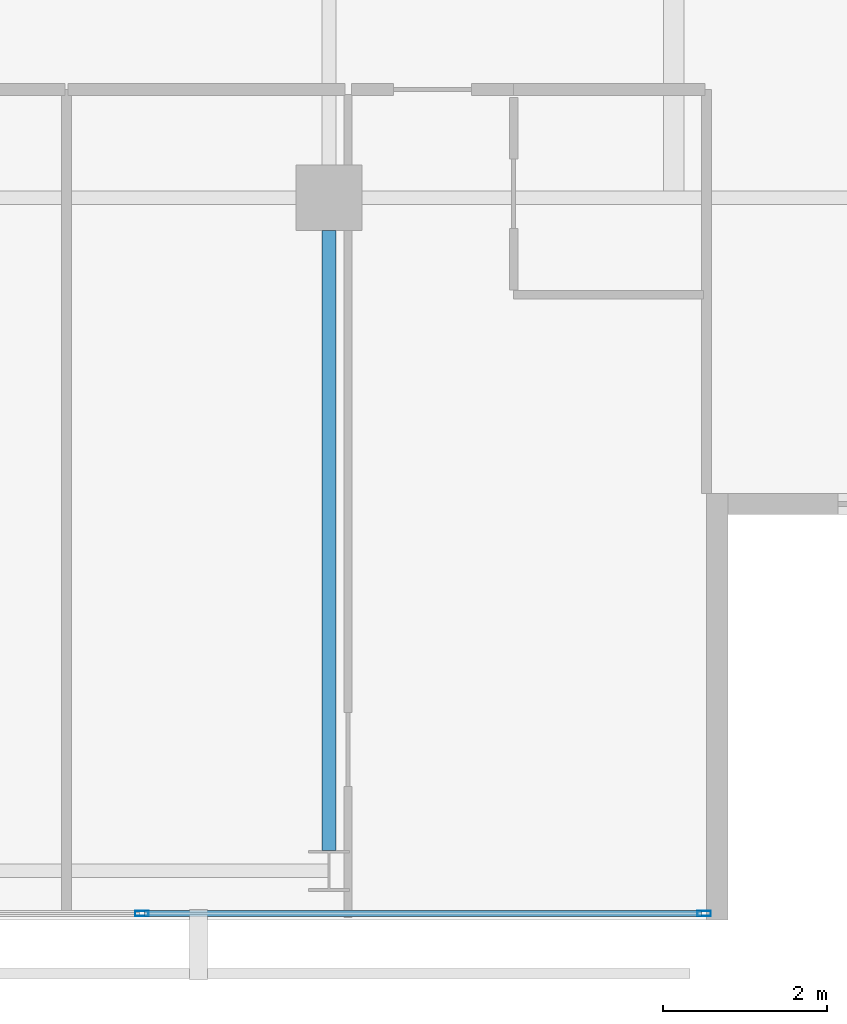
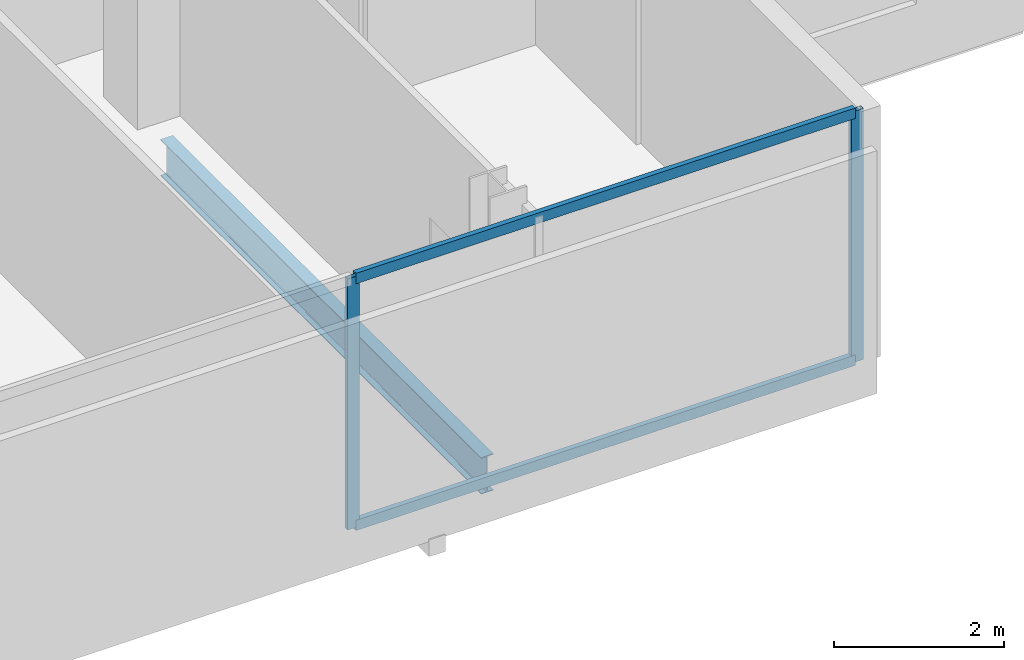
# One storey, part 10 of 25: 4 members, 1 beam, 1 element without a shape of its own.
"""IFC4 building model written with IfcOpenShell, lengths in metres."""

import ifcopenshell
import ifcopenshell.guid

model = None  # the IFC model being written
_history = None  # IfcOwnerHistory: only IFC2X3 demands one
_inside = {}  # id of a spatial element -> (the spatial element, [elements in it])
_under = {}  # id of a project, library or spatial element -> (it, [spatial elements below it])
_declared = {}  # id of a project -> (the project, [libraries it declares])
_typed = {}  # id of a type object -> (the type object, [elements of that type])
_made_of = {}  # id of a material, layer set ... -> (it, [elements and type objects made of it])


def new_model(schema):
    """Start an empty IFC model of exactly this schema.

    Asked for "IFC4X3", IfcOpenShell would pick the latest addendum, in which some entities
    have other attributes; the version numbers below select the first issue.
    IFC2X3 requires an IfcOwnerHistory on every rooted entity: one is made here for all.
    """
    global model, _history
    if schema == "IFC4X3":
        model = ifcopenshell.file(schema_version=(4, 3, 0, 0))
    else:
        model = ifcopenshell.file(schema=schema)
    _inside.clear()
    _under.clear()
    _declared.clear()
    _typed.clear()
    _made_of.clear()
    _history = None
    if model.schema == "IFC2X3":
        org = make("IfcOrganization", Name="unknown")
        user = make(
            "IfcPersonAndOrganization",
            ThePerson=make("IfcPerson", FamilyName="unknown"),
            TheOrganization=org,
        )
        app = make(
            "IfcApplication",
            ApplicationDeveloper=org,
            Version="unknown",
            ApplicationFullName="unknown",
            ApplicationIdentifier="unknown",
        )
        _history = make(
            "IfcOwnerHistory",
            OwningUser=user,
            OwningApplication=app,
            ChangeAction="ADDED",
            CreationDate=0,
        )
    return model


def make(cls, **values):
    """One entity of the class cls with the attributes given. An attribute that is None is left unset."""
    return model.create_entity(
        cls, **{name: value for name, value in values.items() if value is not None}
    )


def rooted(cls, **values):
    """An entity with a GlobalId (a new one), such as an element, a storey or a relation."""
    return make(cls, GlobalId=ifcopenshell.guid.new(), OwnerHistory=_history, **values)


def si_unit(unit_type, name, prefix=None):
    """IfcSIUnit, for example si_unit("LENGTHUNIT", "METRE", prefix="MILLI")."""
    return make("IfcSIUnit", UnitType=unit_type, Prefix=prefix, Name=name)


def assignment(units):
    """IfcUnitAssignment: the units of a project."""
    return None if units is None else make("IfcUnitAssignment", Units=units)


def point(xyz):
    """IfcCartesianPoint."""
    return None if xyz is None else make("IfcCartesianPoint", Coordinates=xyz)


def direction(xyz):
    """IfcDirection."""
    return None if xyz is None else make("IfcDirection", DirectionRatios=xyz)


def frame(location, z_axis=None, x_axis=None):
    """IfcAxis2Placement3D, a coordinate frame: its origin and axes. An axis left out is left unset."""
    return make(
        "IfcAxis2Placement3D",
        Location=point(location),
        Axis=direction(z_axis),
        RefDirection=direction(x_axis),
    )


def frame_2d(location, x_axis=None):
    """IfcAxis2Placement2D, a coordinate frame in the plane: its origin and x axis."""
    return make(
        "IfcAxis2Placement2D", Location=point(location), RefDirection=direction(x_axis)
    )


def origin():
    """The frame at (0, 0, 0) with its axes left unset."""
    return frame((0.0, 0.0, 0.0))


def origin_2d():
    """The frame at (0, 0) in the plane with its x axis left unset."""
    return frame_2d((0.0, 0.0))


def place(relative_to, where):
    """IfcLocalPlacement: puts the frame where relative to a parent placement (None: the world)."""
    return make(
        "IfcLocalPlacement", PlacementRelTo=relative_to, RelativePlacement=where
    )


def context(
    kind, dimensions, precision=None, world=None, true_north=None, identifier=None
):
    """IfcGeometricRepresentationContext, for example the 3D "Model" context."""
    return make(
        "IfcGeometricRepresentationContext",
        ContextIdentifier=identifier,
        ContextType=kind,
        CoordinateSpaceDimension=dimensions,
        Precision=precision,
        WorldCoordinateSystem=world,
        TrueNorth=true_north,
    )


def subcontext(parent, identifier, kind, view, scale=None):
    """IfcGeometricRepresentationSubContext, for example "Body" below "Model"."""
    return make(
        "IfcGeometricRepresentationSubContext",
        ContextIdentifier=identifier,
        ContextType=kind,
        ParentContext=parent,
        TargetScale=scale,
        TargetView=view,
    )


def project(units=None, contexts=None):
    """IfcProject with its units and contexts."""
    return rooted(
        "IfcProject",
        Name="project",
        RepresentationContexts=contexts,
        UnitsInContext=assignment(units),
    )


def spatial(cls, under=None, at=None, **own):
    """A site, building, storey or space (cls), placed at a placement, below another one or the project."""
    s = rooted(cls, ObjectPlacement=at, **own)
    if under is not None:
        _under.setdefault(under.id(), (under, []))[1].append(s)
    return s


def profile(cls, at=None, kind="AREA", **sizes):
    """A parametric profile (cls). Its sizes go by their IFC names, for example OverallWidth=200.0."""
    return make(cls, ProfileType=kind, Position=at, **sizes)


def hollow_rectangle(**sizes):
    """IfcRectangleHollowProfileDef."""
    return profile("IfcRectangleHollowProfileDef", **sizes)


def i_section(**sizes):
    """IfcIShapeProfileDef."""
    return profile("IfcIShapeProfileDef", **sizes)


def extrude(swept, where, along, depth):
    """IfcExtrudedAreaSolid: the profile swept, set in the frame where, extruded along a direction by depth."""
    return make(
        "IfcExtrudedAreaSolid",
        SweptArea=swept,
        Position=where,
        ExtrudedDirection=direction(along),
        Depth=depth,
    )


def shape(context_of_items, identifier, shape_type, items):
    """IfcShapeRepresentation: the items that make up one representation, for example the "Body"."""
    return make(
        "IfcShapeRepresentation",
        ContextOfItems=context_of_items,
        RepresentationIdentifier=identifier,
        RepresentationType=shape_type,
        Items=items,
    )


def material(Name=None, Category=None):
    """IfcMaterial."""
    return make("IfcMaterial", Name=Name, Category=Category)


def layer(
    of_material, thickness, ventilated=None, Name=None, Category=None, Priority=None
):
    """IfcMaterialLayer: one layer of a wall or slab, of a material (None: an air gap)."""
    return make(
        "IfcMaterialLayer",
        Material=of_material,
        LayerThickness=thickness,
        IsVentilated=ventilated,
        Name=Name,
        Category=Category,
        Priority=Priority,
    )


def layer_set(layers, Name=None):
    """IfcMaterialLayerSet."""
    return make("IfcMaterialLayerSet", MaterialLayers=layers, LayerSetName=Name)


def material_profile(
    of_material, cross_section, Name=None, Category=None, Priority=None
):
    """IfcMaterialProfile: a cross section and its material."""
    return make(
        "IfcMaterialProfile",
        Name=Name,
        Material=of_material,
        Profile=cross_section,
        Priority=Priority,
        Category=Category,
    )


def profile_set(profiles, Name=None, composite=None):
    """IfcMaterialProfileSet."""
    return make(
        "IfcMaterialProfileSet",
        Name=Name,
        MaterialProfiles=profiles,
        CompositeProfile=composite,
    )


def made_of(thing, what):
    """Note that an element or type object is made of a material, layer set ...; save() writes the relation."""
    if what is not None:
        _made_of.setdefault(what.id(), (what, []))[1].append(thing)
    return thing


def type_object(cls, material=None, **own):
    """A type object (cls), such as IfcWallType, which elements share."""
    return made_of(rooted(cls, **own), material)


def element(
    cls,
    number,
    at=None,
    inside=None,
    cuts=None,
    type_object=None,
    material=None,
    context=None,
    identifier="Body",
    shape_type=None,
    held_by="IfcProductDefinitionShape",
    body=None,
    shapes=None,
    **own,
):
    """One element of the class cls, such as IfcWall. Its Tag is "e" and its number.

    at: its placement. inside: the storey or other place that contains it. cuts: it is an
    opening in that element (IfcRelVoidsElement). A single representation is given by context,
    identifier, shape_type and body (its items); several are given by shapes. held_by: the class
    of the entity that holds the representations. save() writes the other relations.
    """
    e = rooted(cls, Tag="e%d" % number, ObjectPlacement=at, **own)
    if body is not None:
        shapes = [shape(context, identifier, shape_type, body)]
    if shapes is not None:
        e.Representation = make(held_by, Representations=shapes)
    if inside is not None:
        _inside.setdefault(inside.id(), (inside, []))[1].append(e)
    if cuts is not None:
        rooted(
            "IfcRelVoidsElement", RelatingBuildingElement=cuts, RelatedOpeningElement=e
        )
    if type_object is not None:
        _typed.setdefault(type_object.id(), (type_object, []))[1].append(e)
    return made_of(e, material)


def aggregate(whole, parts):
    """IfcRelAggregates: a whole, such as a stair, and the parts it consists of."""
    return rooted("IfcRelAggregates", RelatingObject=whole, RelatedObjects=parts)


def save(model, path):
    """Write the relations noted so far, then the file.

    IfcRelAggregates (storeys below a building ...), IfcRelContainedInSpatialStructure (elements
    in a storey), IfcRelDefinesByType, IfcRelAssociatesMaterial and IfcRelDeclares: one each for
    every whole, place, type object, material and project.
    """
    for whole, parts in _under.values():
        aggregate(whole, parts)
    for where, things in _inside.values():
        rooted(
            "IfcRelContainedInSpatialStructure",
            RelatedElements=things,
            RelatingStructure=where,
        )
    for kind, things in _typed.values():
        rooted("IfcRelDefinesByType", RelatedObjects=things, RelatingType=kind)
    for what, things in _made_of.values():
        rooted("IfcRelAssociatesMaterial", RelatedObjects=things, RelatingMaterial=what)
    for by, libraries in _declared.values():
        rooted("IfcRelDeclares", RelatingContext=by, RelatedDefinitions=libraries)
    model.write(path)


model = new_model("IFC4")

# Units and contexts
model_context = context("Model", 3, precision=1e-05, world=origin(), true_north=direction((0.0, 1.0)))
body_context = subcontext(model_context, "Body", "Model", "MODEL_VIEW")
ifc_project = project(units=[si_unit("LENGTHUNIT", "METRE"), si_unit("AREAUNIT", "SQUARE_METRE"), si_unit("VOLUMEUNIT", "CUBIC_METRE"), si_unit("PLANEANGLEUNIT", "RADIAN"), si_unit("MASSUNIT", "GRAM", prefix="KILO")], contexts=[model_context])

# Site, building, storey
site_placement = place(None, origin())
site = spatial("IfcSite", under=ifc_project, at=site_placement, CompositionType="ELEMENT")
building_placement = place(site_placement, origin())
building = spatial("IfcBuilding", under=site, at=building_placement, Name="Maruvema Waterfront Hotel and Observation Tower", CompositionType="ELEMENT")
storey_placement = place(building_placement, frame((0.0, 0.0, 308.699951171875)))
storey = spatial("IfcBuildingStorey", under=building, at=storey_placement, Name="L76", CompositionType="ELEMENT", Elevation=308.699951171875)

# Curtain wall, members
ifc_material_1 = material(Name="Anodised bronze aluminium and solar-control low-E IGU", Category="aluminium")
ifc_layer = layer(ifc_material_1, 0.159912109375, Name="Zone 3 Champagne Inner Thermal Curtain Wall System CW-04")
ifc_layer_set = layer_set([ifc_layer], Name="Anodised bronze aluminium and solar-control low-E IGU")
curtain_wall_type = type_object("IfcCurtainWallType", Name="Zone 3 Champagne Inner Thermal Curtain Wall System CW-04", PredefinedType="USERDEFINED", material=ifc_layer_set)
curtain_wall_placement = place(storey_placement, origin())
curtain_wall = element("IfcCurtainWall", 1, at=curtain_wall_placement, inside=storey, type_object=curtain_wall_type, Name="L76 Curtain Wall CW-L76-S", ObjectType="UNITISED CURTAIN WALL", PredefinedType="USERDEFINED")
ifc_material_2 = material(Name="Anodised architectural bronze aluminium", Category="aluminium")
ifc_material_profile_1 = material_profile(ifc_material_2, hollow_rectangle(XDim=0.070068359375, YDim=0.14990234375, WallThickness=0.00390625, at=origin_2d()), Name="ALU-T70x150")
ifc_profile_set_1 = profile_set([ifc_material_profile_1], Name="Anodised architectural bronze aluminium")
member_type_1 = type_object("IfcMemberType", Name="Curtain Wall Horizontal Transom ALU-T70x150", PredefinedType="USERDEFINED", material=ifc_profile_set_1)
member_1_placement = place(storey_placement, frame((48.14990234375, 9.280029296875, 0.030029296875), z_axis=(1.0, 0.0, 0.0), x_axis=(0.0, 1.0, 0.0)))
member_1 = element("IfcMember", 2, at=member_1_placement, type_object=member_type_1, Name="CW-04 transom 5.1", ObjectType="TRANSOM", PredefinedType="USERDEFINED", context=body_context, shape_type="SweptSolid", body=[
    extrude(hollow_rectangle(XDim=0.070068359375, YDim=0.14990234375, WallThickness=0.00390625, at=origin_2d()), origin(), (0.0, 0.0, 1.0), 6.7900390625),
])
member_2_placement = place(storey_placement, frame((48.14990234375, 9.280029296875, 3.580078125), z_axis=(1.0, 0.0, 0.0), x_axis=(0.0, 1.0, 0.0)))
member_2 = element("IfcMember", 3, at=member_2_placement, type_object=member_type_1, Name="CW-04 transom 5.2", ObjectType="TRANSOM", PredefinedType="USERDEFINED", context=body_context, shape_type="SweptSolid", body=[
    extrude(hollow_rectangle(XDim=0.070068359375, YDim=0.14990234375, WallThickness=0.00390625, at=origin_2d()), origin(), (0.0, 0.0, 1.0), 6.7900390625),
])
ifc_material_3 = material(Name="Anodised architectural bronze aluminium", Category="aluminium")
ifc_material_profile_2 = material_profile(ifc_material_3, hollow_rectangle(XDim=0.06494140625, YDim=0.1650390625, WallThickness=0.00390625, at=origin_2d()), Name="ALU-M65x165")
ifc_profile_set_2 = profile_set([ifc_material_profile_2], Name="Anodised architectural bronze aluminium")
member_type_2 = type_object("IfcMemberType", Name="Curtain Wall Primary Mullion ALU-M65x165", PredefinedType="MULLION", material=ifc_profile_set_2)
member_3_placement = place(storey_placement, frame((48.1201171875, 9.280029296875, 0.0), z_axis=(0.0, 0.0, 1.0), x_axis=(0.0, 1.0, 0.0)))
member_3 = element("IfcMember", 4, at=member_3_placement, type_object=member_type_2, Name="CW-04 mullion 5", PredefinedType="MULLION", context=body_context, shape_type="SweptSolid", body=[
    extrude(hollow_rectangle(XDim=0.06494140625, YDim=0.1650390625, WallThickness=0.00390625, at=origin_2d()), origin(), (0.0, 0.0, 1.0), 3.610107421875),
])
member_4_placement = place(storey_placement, frame((54.969970703125, 9.280029296875, 0.0), z_axis=(0.0, 0.0, 1.0), x_axis=(0.0, 1.0, 0.0)))
member_4 = element("IfcMember", 5, at=member_4_placement, type_object=member_type_2, Name="CW-04 mullion 6", PredefinedType="MULLION", context=body_context, shape_type="SweptSolid", body=[
    extrude(hollow_rectangle(XDim=0.06494140625, YDim=0.1650390625, WallThickness=0.00390625, at=origin_2d()), origin(), (0.0, 0.0, 1.0), 3.610107421875),
])
aggregate(curtain_wall, [member_3, member_4, member_1, member_2])

# Beam
ifc_material_4 = material(Name="Steel ASTM A572 Grade 50", Category="steel")
ifc_material_profile_3 = material_profile(ifc_material_4, i_section(OverallWidth=0.166015625, OverallDepth=0.529052734375, WebThickness=0.009765625, FlangeThickness=0.013671875, FilletRadius=0.014892578125, at=origin_2d()), Name="W530x74.0")
ifc_profile_set_3 = profile_set([ifc_material_profile_3], Name="Steel ASTM A572 Grade 50")
beam_type = type_object("IfcBeamType", Name="Primary Floor Girder W530x74.0", PredefinedType="BEAM", material=ifc_profile_set_3)
beam_placement = place(storey_placement, frame((50.39990234375, 10.050048828125, -0.50439453125), z_axis=(0.0, 1.0, 0.0), x_axis=(-1.0, 0.0, 0.0)))
element("IfcBeam", 6, at=beam_placement, inside=storey, type_object=beam_type, Name="L76 Floor Girder NS-12", PredefinedType="BEAM", context=body_context, shape_type="SweptSolid", body=[
    extrude(i_section(OverallWidth=0.166015625, OverallDepth=0.529052734375, WebThickness=0.009765625, FlangeThickness=0.013671875, FilletRadius=0.014892578125, at=origin_2d()), origin(), (0.0, 0.0, 1.0), 7.550048828125),
])

save(model, "model.ifc")
